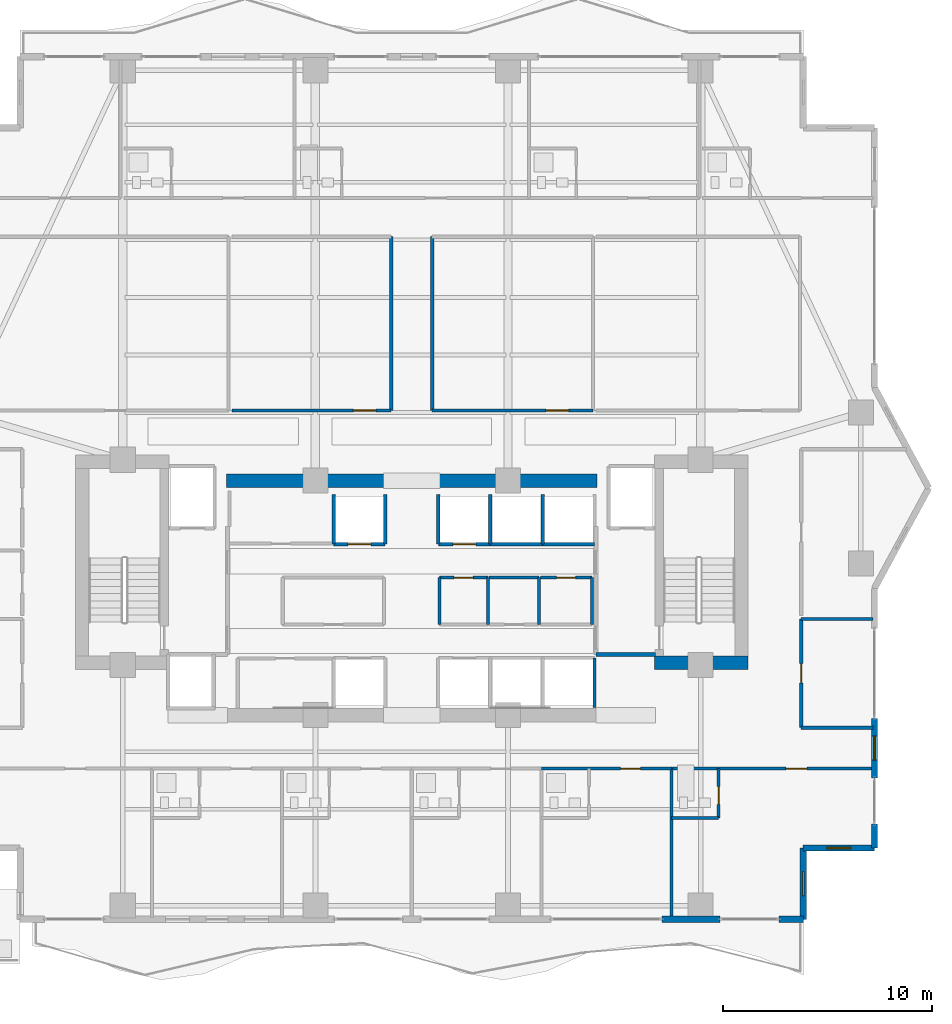
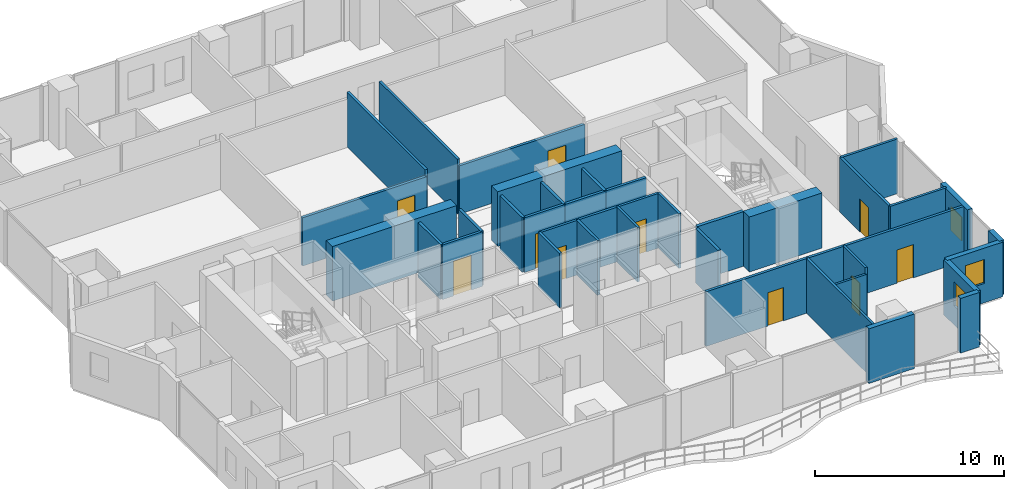
# One storey, part 26 of 32: 39 walls, 10 doors, 3 windows, 13 openings.
"""IFC4 building model written with IfcOpenShell, lengths in metres."""

import ifcopenshell
import ifcopenshell.guid

model = None  # the IFC model being written
_history = None  # IfcOwnerHistory: only IFC2X3 demands one
_inside = {}  # id of a spatial element -> (the spatial element, [elements in it])
_under = {}  # id of a project, library or spatial element -> (it, [spatial elements below it])
_declared = {}  # id of a project -> (the project, [libraries it declares])
_typed = {}  # id of a type object -> (the type object, [elements of that type])
_made_of = {}  # id of a material, layer set ... -> (it, [elements and type objects made of it])


def new_model(schema):
    """Start an empty IFC model of exactly this schema.

    Asked for "IFC4X3", IfcOpenShell would pick the latest addendum, in which some entities
    have other attributes; the version numbers below select the first issue.
    IFC2X3 requires an IfcOwnerHistory on every rooted entity: one is made here for all.
    """
    global model, _history
    if schema == "IFC4X3":
        model = ifcopenshell.file(schema_version=(4, 3, 0, 0))
    else:
        model = ifcopenshell.file(schema=schema)
    _inside.clear()
    _under.clear()
    _declared.clear()
    _typed.clear()
    _made_of.clear()
    _history = None
    if model.schema == "IFC2X3":
        org = make("IfcOrganization", Name="unknown")
        user = make(
            "IfcPersonAndOrganization",
            ThePerson=make("IfcPerson", FamilyName="unknown"),
            TheOrganization=org,
        )
        app = make(
            "IfcApplication",
            ApplicationDeveloper=org,
            Version="unknown",
            ApplicationFullName="unknown",
            ApplicationIdentifier="unknown",
        )
        _history = make(
            "IfcOwnerHistory",
            OwningUser=user,
            OwningApplication=app,
            ChangeAction="ADDED",
            CreationDate=0,
        )
    return model


def make(cls, **values):
    """One entity of the class cls with the attributes given. An attribute that is None is left unset."""
    return model.create_entity(
        cls, **{name: value for name, value in values.items() if value is not None}
    )


def rooted(cls, **values):
    """An entity with a GlobalId (a new one), such as an element, a storey or a relation."""
    return make(cls, GlobalId=ifcopenshell.guid.new(), OwnerHistory=_history, **values)


def si_unit(unit_type, name, prefix=None):
    """IfcSIUnit, for example si_unit("LENGTHUNIT", "METRE", prefix="MILLI")."""
    return make("IfcSIUnit", UnitType=unit_type, Prefix=prefix, Name=name)


def assignment(units):
    """IfcUnitAssignment: the units of a project."""
    return None if units is None else make("IfcUnitAssignment", Units=units)


def point(xyz):
    """IfcCartesianPoint."""
    return None if xyz is None else make("IfcCartesianPoint", Coordinates=xyz)


def direction(xyz):
    """IfcDirection."""
    return None if xyz is None else make("IfcDirection", DirectionRatios=xyz)


def frame(location, z_axis=None, x_axis=None):
    """IfcAxis2Placement3D, a coordinate frame: its origin and axes. An axis left out is left unset."""
    return make(
        "IfcAxis2Placement3D",
        Location=point(location),
        Axis=direction(z_axis),
        RefDirection=direction(x_axis),
    )


def frame_2d(location, x_axis=None):
    """IfcAxis2Placement2D, a coordinate frame in the plane: its origin and x axis."""
    return make(
        "IfcAxis2Placement2D", Location=point(location), RefDirection=direction(x_axis)
    )


def origin():
    """The frame at (0, 0, 0) with its axes left unset."""
    return frame((0.0, 0.0, 0.0))


def place(relative_to, where):
    """IfcLocalPlacement: puts the frame where relative to a parent placement (None: the world)."""
    return make(
        "IfcLocalPlacement", PlacementRelTo=relative_to, RelativePlacement=where
    )


def context(
    kind, dimensions, precision=None, world=None, true_north=None, identifier=None
):
    """IfcGeometricRepresentationContext, for example the 3D "Model" context."""
    return make(
        "IfcGeometricRepresentationContext",
        ContextIdentifier=identifier,
        ContextType=kind,
        CoordinateSpaceDimension=dimensions,
        Precision=precision,
        WorldCoordinateSystem=world,
        TrueNorth=true_north,
    )


def subcontext(parent, identifier, kind, view, scale=None):
    """IfcGeometricRepresentationSubContext, for example "Body" below "Model"."""
    return make(
        "IfcGeometricRepresentationSubContext",
        ContextIdentifier=identifier,
        ContextType=kind,
        ParentContext=parent,
        TargetScale=scale,
        TargetView=view,
    )


def project(units=None, contexts=None):
    """IfcProject with its units and contexts."""
    return rooted(
        "IfcProject",
        Name="project",
        RepresentationContexts=contexts,
        UnitsInContext=assignment(units),
    )


def spatial(cls, under=None, at=None, **own):
    """A site, building, storey or space (cls), placed at a placement, below another one or the project."""
    s = rooted(cls, ObjectPlacement=at, **own)
    if under is not None:
        _under.setdefault(under.id(), (under, []))[1].append(s)
    return s


def profile(cls, at=None, kind="AREA", **sizes):
    """A parametric profile (cls). Its sizes go by their IFC names, for example OverallWidth=200.0."""
    return make(cls, ProfileType=kind, Position=at, **sizes)


def rectangle(**sizes):
    """IfcRectangleProfileDef."""
    return profile("IfcRectangleProfileDef", **sizes)


def extrude(swept, where, along, depth):
    """IfcExtrudedAreaSolid: the profile swept, set in the frame where, extruded along a direction by depth."""
    return make(
        "IfcExtrudedAreaSolid",
        SweptArea=swept,
        Position=where,
        ExtrudedDirection=direction(along),
        Depth=depth,
    )


def shape(context_of_items, identifier, shape_type, items):
    """IfcShapeRepresentation: the items that make up one representation, for example the "Body"."""
    return make(
        "IfcShapeRepresentation",
        ContextOfItems=context_of_items,
        RepresentationIdentifier=identifier,
        RepresentationType=shape_type,
        Items=items,
    )


def material(Name=None, Category=None):
    """IfcMaterial."""
    return make("IfcMaterial", Name=Name, Category=Category)


def layer(
    of_material, thickness, ventilated=None, Name=None, Category=None, Priority=None
):
    """IfcMaterialLayer: one layer of a wall or slab, of a material (None: an air gap)."""
    return make(
        "IfcMaterialLayer",
        Material=of_material,
        LayerThickness=thickness,
        IsVentilated=ventilated,
        Name=Name,
        Category=Category,
        Priority=Priority,
    )


def layer_set(layers, Name=None):
    """IfcMaterialLayerSet."""
    return make("IfcMaterialLayerSet", MaterialLayers=layers, LayerSetName=Name)


def made_of(thing, what):
    """Note that an element or type object is made of a material, layer set ...; save() writes the relation."""
    if what is not None:
        _made_of.setdefault(what.id(), (what, []))[1].append(thing)
    return thing


def type_object(cls, material=None, **own):
    """A type object (cls), such as IfcWallType, which elements share."""
    return made_of(rooted(cls, **own), material)


def element(
    cls,
    number,
    at=None,
    inside=None,
    cuts=None,
    type_object=None,
    material=None,
    context=None,
    identifier="Body",
    shape_type=None,
    held_by="IfcProductDefinitionShape",
    body=None,
    shapes=None,
    **own,
):
    """One element of the class cls, such as IfcWall. Its Tag is "e" and its number.

    at: its placement. inside: the storey or other place that contains it. cuts: it is an
    opening in that element (IfcRelVoidsElement). A single representation is given by context,
    identifier, shape_type and body (its items); several are given by shapes. held_by: the class
    of the entity that holds the representations. save() writes the other relations.
    """
    e = rooted(cls, Tag="e%d" % number, ObjectPlacement=at, **own)
    if body is not None:
        shapes = [shape(context, identifier, shape_type, body)]
    if shapes is not None:
        e.Representation = make(held_by, Representations=shapes)
    if inside is not None:
        _inside.setdefault(inside.id(), (inside, []))[1].append(e)
    if cuts is not None:
        rooted(
            "IfcRelVoidsElement", RelatingBuildingElement=cuts, RelatedOpeningElement=e
        )
    if type_object is not None:
        _typed.setdefault(type_object.id(), (type_object, []))[1].append(e)
    return made_of(e, material)


def fill(opening, filler):
    """IfcRelFillsElement: the door or window that sits in an opening."""
    return rooted(
        "IfcRelFillsElement",
        RelatingOpeningElement=opening,
        RelatedBuildingElement=filler,
    )


def aggregate(whole, parts):
    """IfcRelAggregates: a whole, such as a stair, and the parts it consists of."""
    return rooted("IfcRelAggregates", RelatingObject=whole, RelatedObjects=parts)


def save(model, path):
    """Write the relations noted so far, then the file.

    IfcRelAggregates (storeys below a building ...), IfcRelContainedInSpatialStructure (elements
    in a storey), IfcRelDefinesByType, IfcRelAssociatesMaterial and IfcRelDeclares: one each for
    every whole, place, type object, material and project.
    """
    for whole, parts in _under.values():
        aggregate(whole, parts)
    for where, things in _inside.values():
        rooted(
            "IfcRelContainedInSpatialStructure",
            RelatedElements=things,
            RelatingStructure=where,
        )
    for kind, things in _typed.values():
        rooted("IfcRelDefinesByType", RelatedObjects=things, RelatingType=kind)
    for what, things in _made_of.values():
        rooted("IfcRelAssociatesMaterial", RelatedObjects=things, RelatingMaterial=what)
    for by, libraries in _declared.values():
        rooted("IfcRelDeclares", RelatingContext=by, RelatedDefinitions=libraries)
    model.write(path)


model = new_model("IFC4")

# Units and contexts
model_context = context("Model", 3, precision=1e-05, world=origin(), true_north=direction((0.0, 1.0)))
body_context = subcontext(model_context, "Body", "Model", "MODEL_VIEW")
ifc_project = project(units=[si_unit("LENGTHUNIT", "METRE"), si_unit("AREAUNIT", "SQUARE_METRE"), si_unit("VOLUMEUNIT", "CUBIC_METRE"), si_unit("PLANEANGLEUNIT", "RADIAN"), si_unit("MASSUNIT", "GRAM", prefix="KILO")], contexts=[model_context])

# Site, building, storey
site_placement = place(None, origin())
site = spatial("IfcSite", under=ifc_project, at=site_placement, CompositionType="ELEMENT")
building_placement = place(site_placement, origin())
building = spatial("IfcBuilding", under=site, at=building_placement, Name="Zuhayl Quay Hotel", CompositionType="ELEMENT")
storey_placement = place(building_placement, frame((0.0, 0.0, 192.39990234375)))
storey = spatial("IfcBuildingStorey", under=building, at=storey_placement, Name="L48", CompositionType="ELEMENT", Elevation=192.39990234375)

# Walls
ifc_material_1 = material(Name="Concrete C50/60", Category="concrete")
ifc_layer_1 = layer(ifc_material_1, 0.64990234375, Name="Concrete C50/60", Category="concrete")
ifc_layer_set_1 = layer_set([ifc_layer_1], Name="Concrete C50/60")
wall_type_1 = type_object("IfcWallType", Name="WL_CORE_650", PredefinedType="SHEAR", material=ifc_layer_set_1)
wall_1_placement = place(storey_placement, frame((11.60009765625, 4.64501953125, 0.0), z_axis=(0.0, 0.0, 1.0), x_axis=(1.0, 0.0, 0.0)))
element("IfcWall", 1, at=wall_1_placement, inside=storey, type_object=wall_type_1, Name="L48 Core Shear Wall CW_SE", PredefinedType="SHEAR", context=body_context, shape_type="SweptSolid", body=[
    extrude(rectangle(XDim=4.4599609375, YDim=0.64990234375, at=frame_2d((2.22998046875, 0.0))), origin(), (0.0, 0.0, 1.0), 3.56005859375),
])
for number, where, z_axis, x_axis, name in (
    (2, (-8.85009765625, 13.35009765625, 0.0), (0.0, 0.0, 1.0), (1.0, 0.0, 0.0), "L48 Core Shear Wall CW_NC_W"),
    (3, (1.25, 13.35009765625, 0.0), (0.0, 0.0, 1.0), (1.0, 0.0, 0.0), "L48 Core Shear Wall CW_NC_E"),
):
    element("IfcWall", number, at=place(storey_placement, frame(where, z_axis=z_axis, x_axis=x_axis)), inside=storey, type_object=wall_type_1, Name=name, PredefinedType="SHEAR", context=body_context, shape_type="SweptSolid", body=[
        extrude(rectangle(XDim=7.60009765625, YDim=0.64990234375, at=frame_2d((3.800048828125, 0.0))), origin(), (0.0, 0.0, 1.0), 3.530029296875),
    ])

# Wall, opening, window
ifc_material_2 = material(Name="Precast concrete C45/55", Category="concrete")
ifc_layer_2 = layer(ifc_material_2, 0.300048828125, Name="Precast concrete C45/55", Category="concrete")
ifc_layer_set_2 = layer_set([ifc_layer_2], Name="Precast concrete C45/55")
wall_type_2 = type_object("IfcWallType", Name="WL_EXT_300", PredefinedType="STANDARD", material=ifc_layer_set_2)
wall_2_placement = place(storey_placement, frame((22.10009765625, 2.0, 0.0), z_axis=(0.0, 0.0, 1.0), x_axis=(0.0, -1.0, 0.0)))
wall_2 = element("IfcWall", 4, at=wall_2_placement, inside=storey, type_object=wall_type_2, Name="L48 Exterior Precast Wall ENV_L48_E14_EW2", PredefinedType="STANDARD", context=body_context, shape_type="SweptSolid", body=[
    extrude(rectangle(XDim=2.85009765625, YDim=0.300048828125, at=frame_2d((1.425048828125, 0.0))), origin(), (0.0, 0.0, 1.0), 3.530029296875),
])
opening_1_placement = place(wall_2_placement, frame((0.85009765625, 0.0, 0.949951171875)))
opening_1 = element("IfcOpeningElement", 5, at=opening_1_placement, cuts=wall_2, Name="Opening W01N", PredefinedType="OPENING", context=body_context, shape_type="SweptSolid", body=[
    extrude(rectangle(XDim=1.14990234375, YDim=1.550048828125, at=frame_2d((0.574951171875, 0.77490234375))), frame((0.0, 0.159912109375, 0.0), z_axis=(0.0, -1.0, 0.0), x_axis=(1.0, 0.0, 0.0)), (0.0, 0.0, 1.0), 0.320068359375),
])
ifc_material_3 = material(Name="Dark Ceramic-Fritted Solar Glass", Category="glass")
window_type = type_object("IfcWindowType", Name="WN_NOTCH_1350", PartitioningType="SINGLE_PANEL", PredefinedType="WINDOW", material=ifc_material_3)
window_1_placement = place(opening_1_placement, origin())
window_1 = element("IfcWindow", 6, at=window_1_placement, inside=storey, type_object=window_type, Name="L48 Operable Facade Window 2-1", OverallHeight=1.550048828125, OverallWidth=1.14990234375, PartitioningType="SINGLE_PANEL", PredefinedType="WINDOW", context=body_context, shape_type="SweptSolid", body=[
    extrude(rectangle(XDim=1.14990234375, YDim=1.550048828125, at=frame_2d((0.574951171875, 0.77490234375))), frame((0.0, 0.030029296875, 0.0), z_axis=(0.0, -1.0, 0.0), x_axis=(1.0, 0.0, 0.0)), (0.0, 0.0, 1.0), 0.06005859375),
])
fill(opening_1, window_1)

# Wall
wall_3_placement = place(storey_placement, frame((22.10009765625, -3.050048828125, 0.0), z_axis=(0.0, 0.0, 1.0), x_axis=(0.0, -1.0, 0.0)))
element("IfcWall", 7, at=wall_3_placement, inside=storey, type_object=wall_type_2, Name="L48 Exterior Precast Wall ENV_L48_E14_EW3", PredefinedType="STANDARD", context=body_context, shape_type="SweptSolid", body=[
    extrude(rectangle(XDim=1.14990234375, YDim=0.300048828125, at=frame_2d((0.574951171875, 0.0))), origin(), (0.0, 0.0, 1.0), 3.530029296875),
])

# Wall, opening, window
wall_4_placement = place(storey_placement, frame((22.10009765625, -4.199951171875, 0.0), z_axis=(0.0, 0.0, 1.0), x_axis=(-1.0, 0.0, 0.0)))
wall_4 = element("IfcWall", 8, at=wall_4_placement, inside=storey, type_object=wall_type_2, Name="L48 Exterior Precast Wall ENV_L48_EW15", PredefinedType="STANDARD", context=body_context, shape_type="SweptSolid", body=[
    extrude(rectangle(XDim=3.400146484375, YDim=0.300048828125, at=frame_2d((1.7001953125, 0.0))), origin(), (0.0, 0.0, 1.0), 3.530029296875),
])
opening_2_placement = place(wall_4_placement, frame((1.125, 0.0, 1.25)))
opening_2 = element("IfcOpeningElement", 9, at=opening_2_placement, cuts=wall_4, Name="Opening W01N", PredefinedType="OPENING", context=body_context, shape_type="SweptSolid", body=[
    extrude(rectangle(XDim=1.14990234375, YDim=1.550048828125, at=frame_2d((0.574951171875, 0.77490234375))), frame((0.0, 0.159912109375, 0.0), z_axis=(0.0, -1.0, 0.0), x_axis=(1.0, 0.0, 0.0)), (0.0, 0.0, 1.0), 0.320068359375),
])
window_2_placement = place(opening_2_placement, origin())
window_2 = element("IfcWindow", 10, at=window_2_placement, inside=storey, type_object=window_type, Name="L48 Corner Notch Window 15", OverallHeight=1.550048828125, OverallWidth=1.14990234375, PartitioningType="SINGLE_PANEL", PredefinedType="WINDOW", context=body_context, shape_type="SweptSolid", body=[
    extrude(rectangle(XDim=1.14990234375, YDim=1.550048828125, at=frame_2d((0.574951171875, 0.77490234375))), frame((0.0, 0.030029296875, 0.0), z_axis=(0.0, -1.0, 0.0), x_axis=(1.0, 0.0, 0.0)), (0.0, 0.0, 1.0), 0.06005859375),
])
fill(opening_2, window_2)

wall_5_placement = place(storey_placement, frame((18.699951171875, -4.199951171875, 0.0), z_axis=(0.0, 0.0, 1.0), x_axis=(0.0, -1.0, 0.0)))
wall_5 = element("IfcWall", 11, at=wall_5_placement, inside=storey, type_object=wall_type_2, Name="L48 Exterior Precast Wall ENV_L48_EW16", PredefinedType="STANDARD", context=body_context, shape_type="SweptSolid", body=[
    extrude(rectangle(XDim=3.400146484375, YDim=0.300048828125, at=frame_2d((1.7001953125, 0.0))), origin(), (0.0, 0.0, 1.0), 3.530029296875),
])
opening_3_placement = place(wall_5_placement, frame((1.125, 0.0, 1.25)))
opening_3 = element("IfcOpeningElement", 12, at=opening_3_placement, cuts=wall_5, Name="Opening W01N", PredefinedType="OPENING", context=body_context, shape_type="SweptSolid", body=[
    extrude(rectangle(XDim=1.14990234375, YDim=1.550048828125, at=frame_2d((0.574951171875, 0.77490234375))), frame((0.0, 0.159912109375, 0.0), z_axis=(0.0, -1.0, 0.0), x_axis=(1.0, 0.0, 0.0)), (0.0, 0.0, 1.0), 0.320068359375),
])
window_3_placement = place(opening_3_placement, origin())
window_3 = element("IfcWindow", 13, at=window_3_placement, inside=storey, type_object=window_type, Name="L48 Corner Notch Window 16", OverallHeight=1.550048828125, OverallWidth=1.14990234375, PartitioningType="SINGLE_PANEL", PredefinedType="WINDOW", context=body_context, shape_type="SweptSolid", body=[
    extrude(rectangle(XDim=1.14990234375, YDim=1.550048828125, at=frame_2d((0.574951171875, 0.77490234375))), frame((0.0, 0.030029296875, 0.0), z_axis=(0.0, -1.0, 0.0), x_axis=(1.0, 0.0, 0.0)), (0.0, 0.0, 1.0), 0.06005859375),
])
fill(opening_3, window_3)

# Walls
wall_6_placement = place(storey_placement, frame((18.699951171875, -7.60009765625, 0.0), z_axis=(0.0, 0.0, 1.0), x_axis=(-1.0, 0.0, 0.0)))
element("IfcWall", 14, at=wall_6_placement, inside=storey, type_object=wall_type_2, Name="L48 Exterior Precast Wall ENV_L48_S_EW1", PredefinedType="STANDARD", context=body_context, shape_type="SweptSolid", body=[
    extrude(rectangle(XDim=1.14990234375, YDim=0.300048828125, at=frame_2d((0.574951171875, 0.0))), origin(), (0.0, 0.0, 1.0), 3.530029296875),
])
wall_7_placement = place(storey_placement, frame((14.719970703125, -7.60009765625, 0.0), z_axis=(0.0, 0.0, 1.0), x_axis=(-1.0, 0.0, 0.0)))
element("IfcWall", 15, at=wall_7_placement, inside=storey, type_object=wall_type_2, Name="L48 Exterior Precast Wall ENV_L48_S_EW2", PredefinedType="STANDARD", context=body_context, shape_type="SweptSolid", body=[
    extrude(rectangle(XDim=2.77001953125, YDim=0.300048828125, at=frame_2d((1.385009765625, 0.0))), origin(), (0.0, 0.0, 1.0), 3.530029296875),
])

# Wall, opening, door
ifc_material_4 = material(Name="Acoustic Gypsum Partition STC-58")
ifc_layer_3 = layer(ifc_material_4, 0.14990234375, Name="Acoustic Gypsum Partition STC-58")
ifc_layer_set_3 = layer_set([ifc_layer_3], Name="Acoustic Gypsum Partition STC-58")
wall_type_3 = type_object("IfcWallType", Name="WL_PART_150", PredefinedType="PARTITIONING", material=ifc_layer_set_3)
wall_8_placement = place(storey_placement, frame((1.320068359375, 8.719970703125, 0.0), z_axis=(0.0, 0.0, 1.0), x_axis=(1.0, 0.0, 0.0)))
wall_8 = element("IfcWall", 16, at=wall_8_placement, inside=storey, type_object=wall_type_3, Name="L48 Partition IW_L48_CORE_E1_N", PredefinedType="PARTITIONING", context=body_context, shape_type="SweptSolid", body=[
    extrude(rectangle(XDim=2.31982421875, YDim=0.14990234375, at=frame_2d((1.159912109375, 0.0))), origin(), (0.0, 0.0, 1.0), 3.530029296875),
])
opening_4_placement = place(wall_8_placement, frame((0.7099609375, 0.0, 0.0)))
opening_4 = element("IfcOpeningElement", 17, at=opening_4_placement, cuts=wall_8, Name="Opening D06", PredefinedType="OPENING", context=body_context, shape_type="SweptSolid", body=[
    extrude(rectangle(XDim=0.89990234375, YDim=2.14990234375, at=frame_2d((0.449951171875, 1.074951171875))), frame((0.0, 0.0849609375, 0.0), z_axis=(0.0, -1.0, 0.0), x_axis=(1.0, 0.0, 0.0)), (0.0, 0.0, 1.0), 0.169921875),
])
ifc_material_5 = material(Name="Steel ASTM A992 Grade 50", Category="steel")
door_type_1 = type_object("IfcDoorType", Name="DR_INT_900", OperationType="NOTDEFINED", PredefinedType="DOOR", material=ifc_material_5)
door_1_placement = place(opening_4_placement, origin())
door_1 = element("IfcDoor", 18, at=door_1_placement, inside=storey, type_object=door_type_1, Name="L48 Floor Electrical Closet Door", OperationType="SINGLE_SWING_RIGHT", OverallHeight=2.14990234375, OverallWidth=0.89990234375, PredefinedType="DOOR", context=body_context, shape_type="SweptSolid", body=[
    extrude(rectangle(XDim=0.89990234375, YDim=2.14990234375, at=frame_2d((0.449951171875, 1.074951171875))), frame((0.0, 0.02490234375, 0.0), z_axis=(0.0, -1.0, 0.0), x_axis=(1.0, 0.0, 0.0)), (0.0, 0.0, 1.0), 0.050048828125),
])
fill(opening_4, door_1)

wall_9_placement = place(storey_placement, frame((6.139892578125, 8.719970703125, 0.0), z_axis=(0.0, 0.0, 1.0), x_axis=(1.0, 0.0, 0.0)))
wall_9 = element("IfcWall", 19, at=wall_9_placement, inside=storey, type_object=wall_type_3, Name="L48 Partition IW_L48_CORE_E3_N", PredefinedType="PARTITIONING", context=body_context, shape_type="SweptSolid", body=[
    extrude(rectangle(XDim=2.47021484375, YDim=0.14990234375, at=frame_2d((1.235107421875, 0.0))), origin(), (0.0, 0.0, 1.0), 3.530029296875),
])
opening_5_placement = place(wall_9_placement, frame((0.784912109375, 0.0, 0.0)))
opening_5 = element("IfcOpeningElement", 20, at=opening_5_placement, cuts=wall_9, Name="Opening D06", PredefinedType="OPENING", context=body_context, shape_type="SweptSolid", body=[
    extrude(rectangle(XDim=0.89990234375, YDim=2.14990234375, at=frame_2d((0.449951171875, 1.074951171875))), frame((0.0, 0.0849609375, 0.0), z_axis=(0.0, -1.0, 0.0), x_axis=(1.0, 0.0, 0.0)), (0.0, 0.0, 1.0), 0.169921875),
])
door_2_placement = place(opening_5_placement, origin())
door_2 = element("IfcDoor", 21, at=door_2_placement, inside=storey, type_object=door_type_1, Name="L48 Janitor and Cleaners Store Door", OperationType="SINGLE_SWING_RIGHT", OverallHeight=2.14990234375, OverallWidth=0.89990234375, PredefinedType="DOOR", context=body_context, shape_type="SweptSolid", body=[
    extrude(rectangle(XDim=0.89990234375, YDim=2.14990234375, at=frame_2d((0.449951171875, 1.074951171875))), frame((0.0, 0.02490234375, 0.0), z_axis=(0.0, -1.0, 0.0), x_axis=(1.0, 0.0, 0.0)), (0.0, 0.0, 1.0), 0.050048828125),
])
fill(opening_5, door_2)

# Walls
for number, where, z_axis, x_axis, name in (
    (22, (1.320068359375, 6.47998046875, 0.0), (0.0, 0.0, 1.0), (0.0, 1.0, 0.0), "L48 Partition IW_L48_CORE_E1_W"),
    (23, (3.639892578125, 6.47998046875, 0.0), (0.0, 0.0, 1.0), (0.0, 1.0, 0.0), "L48 Partition IW_L48_CORE_E1_E"),
):
    element("IfcWall", number, at=place(storey_placement, frame(where, z_axis=z_axis, x_axis=x_axis)), inside=storey, type_object=wall_type_3, Name=name, PredefinedType="PARTITIONING", context=body_context, shape_type="SweptSolid", body=[
        extrude(rectangle(XDim=2.239990234375, YDim=0.14990234375, at=frame_2d((1.1201171875, 0.0))), origin(), (0.0, 0.0, 1.0), 3.530029296875),
    ])
wall_10_placement = place(storey_placement, frame((3.699951171875, 8.719970703125, 0.0), z_axis=(0.0, 0.0, 1.0), x_axis=(1.0, 0.0, 0.0)))
element("IfcWall", 24, at=wall_10_placement, inside=storey, type_object=wall_type_3, Name="L48 Partition IW_L48_CORE_E2_N", PredefinedType="PARTITIONING", context=body_context, shape_type="SweptSolid", body=[
    extrude(rectangle(XDim=2.380126953125, YDim=0.14990234375, at=frame_2d((1.18994140625, 0.0))), origin(), (0.0, 0.0, 1.0), 3.530029296875),
])
for number, where, z_axis, x_axis, name in (
    (25, (6.080078125, 6.47998046875, 0.0), (0.0, 0.0, 1.0), (0.0, 1.0, 0.0), "L48 Partition IW_L48_CORE_E2_E"),
    (26, (8.610107421875, 6.47998046875, 0.0), (0.0, 0.0, 1.0), (0.0, 1.0, 0.0), "L48 Partition IW_L48_CORE_E3_E"),
):
    element("IfcWall", number, at=place(storey_placement, frame(where, z_axis=z_axis, x_axis=x_axis)), inside=storey, type_object=wall_type_3, Name=name, PredefinedType="PARTITIONING", context=body_context, shape_type="SweptSolid", body=[
        extrude(rectangle(XDim=2.239990234375, YDim=0.14990234375, at=frame_2d((1.1201171875, 0.0))), origin(), (0.0, 0.0, 1.0), 3.530029296875),
    ])
for number, where, z_axis, x_axis, name in (
    (27, (-0.97998046875, 16.699951171875, 0.0), (0.0, 0.0, 1.0), (0.0, 1.0, 0.0), "L48 Partition IW_L48_Z3_SAL_M2_E"),
    (28, (0.97998046875, 16.699951171875, 0.0), (0.0, 0.0, 1.0), (0.0, 1.0, 0.0), "L48 Partition IW_L48_Z3_SAL_E1_W"),
):
    element("IfcWall", number, at=place(storey_placement, frame(where, z_axis=z_axis, x_axis=x_axis)), inside=storey, type_object=wall_type_3, Name=name, PredefinedType="PARTITIONING", context=body_context, shape_type="SweptSolid", body=[
        extrude(rectangle(XDim=8.300048828125, YDim=0.14990234375, at=frame_2d((4.14990234375, 0.0))), origin(), (0.0, 0.0, 1.0), 3.530029296875),
    ])
wall_11_placement = place(storey_placement, frame((12.39990234375, -7.52001953125, 0.0), z_axis=(0.0, 0.0, 1.0), x_axis=(0.0, 1.0, 0.0)))
element("IfcWall", 29, at=wall_11_placement, inside=storey, type_object=wall_type_3, Name="L48 Partition IW_L48_SU05_E", PredefinedType="PARTITIONING", context=body_context, shape_type="SweptSolid", body=[
    extrude(rectangle(XDim=7.1201171875, YDim=0.14990234375, at=frame_2d((3.56005859375, 0.0))), origin(), (0.0, 0.0, 1.0), 3.530029296875),
])
for number, where, z_axis, x_axis, name in (
    (30, (18.60009765625, 1.550048828125, 0.0), (0.0, 0.0, 1.0), (1.0, 0.0, 0.0), "L48 Partition IW_L48_HK_MAIN_S"),
    (31, (18.60009765625, 6.75, 0.0), (0.0, 0.0, 1.0), (1.0, 0.0, 0.0), "L48 Partition IW_L48_HK_MAIN_N"),
):
    element("IfcWall", number, at=place(storey_placement, frame(where, z_axis=z_axis, x_axis=x_axis)), inside=storey, type_object=wall_type_3, Name=name, PredefinedType="PARTITIONING", context=body_context, shape_type="SweptSolid", body=[
        extrude(rectangle(XDim=3.43994140625, YDim=0.14990234375, at=frame_2d((1.719970703125, 0.0))), origin(), (0.0, 0.0, 1.0), 3.530029296875),
    ])

# Wall, opening, door
ifc_layer_4 = layer(ifc_material_4, 0.159912109375, Name="Acoustic Gypsum Partition STC-58")
ifc_layer_set_4 = layer_set([ifc_layer_4], Name="Acoustic Gypsum Partition STC-58")
wall_type_4 = type_object("IfcWallType", Name="WL_PART_CORR_160", PredefinedType="PARTITIONING", material=ifc_layer_set_4)
wall_12_placement = place(storey_placement, frame((-8.590087890625, 16.699951171875, 0.0), z_axis=(0.0, 0.0, 1.0), x_axis=(1.0, 0.0, 0.0)))
wall_12 = element("IfcWall", 32, at=wall_12_placement, inside=storey, type_object=wall_type_4, Name="L48 Partition IW_L48_Z3_SAL_M2_S", PredefinedType="PARTITIONING", context=body_context, shape_type="SweptSolid", body=[
    extrude(rectangle(XDim=7.610107421875, YDim=0.159912109375, at=frame_2d((3.80517578125, 0.0))), origin(), (0.0, 0.0, 1.0), 3.1240234375),
])
opening_6_placement = place(wall_12_placement, frame((5.800048828125, 0.0, 0.0)))
opening_6 = element("IfcOpeningElement", 33, at=opening_6_placement, cuts=wall_12, Name="Opening D05A", PredefinedType="OPENING", context=body_context, shape_type="SweptSolid", body=[
    extrude(rectangle(XDim=1.080078125, YDim=2.179931640625, at=frame_2d((0.5400390625, 1.08984375))), frame((0.0, 0.08984375, 0.0), z_axis=(0.0, -1.0, 0.0), x_axis=(1.0, 0.0, 0.0)), (0.0, 0.0, 1.0), 0.179931640625),
])
ifc_material_6 = material(Name="Solid Walnut Acoustic Fire Door")
door_type_2 = type_object("IfcDoorType", Name="DR_INT_1100", OperationType="NOTDEFINED", PredefinedType="DOOR", material=ifc_material_6)
door_3_placement = place(opening_6_placement, origin())
door_3 = element("IfcDoor", 34, at=door_3_placement, inside=storey, type_object=door_type_2, Name="L48 Vitality Relaxation Salon Door", OperationType="SINGLE_SWING_LEFT", OverallHeight=2.179931640625, OverallWidth=1.080078125, PredefinedType="DOOR", context=body_context, shape_type="SweptSolid", body=[
    extrude(rectangle(XDim=1.080078125, YDim=2.179931640625, at=frame_2d((0.5400390625, 1.08984375))), frame((0.0, 0.02490234375, 0.0), z_axis=(0.0, -1.0, 0.0), x_axis=(1.0, 0.0, 0.0)), (0.0, 0.0, 1.0), 0.050048828125),
])
fill(opening_6, door_3)

wall_13_placement = place(storey_placement, frame((0.97998046875, 16.699951171875, 0.0), z_axis=(0.0, 0.0, 1.0), x_axis=(1.0, 0.0, 0.0)))
wall_13 = element("IfcWall", 35, at=wall_13_placement, inside=storey, type_object=wall_type_4, Name="L48 Partition IW_L48_Z3_SAL_E1_S", PredefinedType="PARTITIONING", context=body_context, shape_type="SweptSolid", body=[
    extrude(rectangle(XDim=7.669921875, YDim=0.159912109375, at=frame_2d((3.8349609375, 0.0))), origin(), (0.0, 0.0, 1.0), 3.1240234375),
])
opening_7_placement = place(wall_13_placement, frame((5.429931640625, 0.0, 0.0)))
opening_7 = element("IfcOpeningElement", 36, at=opening_7_placement, cuts=wall_13, Name="Opening D05A", PredefinedType="OPENING", context=body_context, shape_type="SweptSolid", body=[
    extrude(rectangle(XDim=1.080078125, YDim=2.179931640625, at=frame_2d((0.5400390625, 1.08984375))), frame((0.0, 0.08984375, 0.0), z_axis=(0.0, -1.0, 0.0), x_axis=(1.0, 0.0, 0.0)), (0.0, 0.0, 1.0), 0.179931640625),
])
door_4_placement = place(opening_7_placement, origin())
door_4 = element("IfcDoor", 37, at=door_4_placement, inside=storey, type_object=door_type_2, Name="L48 Relaxation Tea Lounge Door", OperationType="SINGLE_SWING_RIGHT", OverallHeight=2.179931640625, OverallWidth=1.080078125, PredefinedType="DOOR", context=body_context, shape_type="SweptSolid", body=[
    extrude(rectangle(XDim=1.080078125, YDim=2.179931640625, at=frame_2d((0.5400390625, 1.08984375))), frame((0.0, 0.02490234375, 0.0), z_axis=(0.0, -1.0, 0.0), x_axis=(1.0, 0.0, 0.0)), (0.0, 0.0, 1.0), 0.050048828125),
])
fill(opening_7, door_4)

wall_14_placement = place(storey_placement, frame((6.199951171875, -0.39990234375, 0.0), z_axis=(0.0, 0.0, 1.0), x_axis=(1.0, 0.0, 0.0)))
wall_14 = element("IfcWall", 38, at=wall_14_placement, inside=storey, type_object=wall_type_4, Name="L48 Partition IW_L48_SU05_COR", PredefinedType="PARTITIONING", context=body_context, shape_type="SweptSolid", body=[
    extrude(rectangle(XDim=6.199951171875, YDim=0.159912109375, at=frame_2d((3.10009765625, 0.0))), origin(), (0.0, 0.0, 1.0), 3.530029296875),
])
opening_8_placement = place(wall_14_placement, frame((3.77490234375, 0.0, 0.0)))
opening_8 = element("IfcOpeningElement", 39, at=opening_8_placement, cuts=wall_14, Name="Opening D03", PredefinedType="OPENING", context=body_context, shape_type="SweptSolid", body=[
    extrude(rectangle(XDim=0.949951171875, YDim=2.14990234375, at=frame_2d((0.47509765625, 1.074951171875))), frame((0.0, 0.08984375, 0.0), z_axis=(0.0, -1.0, 0.0), x_axis=(1.0, 0.0, 0.0)), (0.0, 0.0, 1.0), 0.179931640625),
])
door_type_3 = type_object("IfcDoorType", Name="DR_SUITE_950", OperationType="NOTDEFINED", PredefinedType="DOOR", material=ifc_material_6)
door_5_placement = place(opening_8_placement, origin())
door_5 = element("IfcDoor", 40, at=door_5_placement, inside=storey, type_object=door_type_3, Name="L48 Premier Twin Guest Room L48-05 Entrance Door", OperationType="SINGLE_SWING_LEFT", OverallHeight=2.14990234375, OverallWidth=0.949951171875, PredefinedType="DOOR", context=body_context, shape_type="SweptSolid", body=[
    extrude(rectangle(XDim=0.949951171875, YDim=2.14990234375, at=frame_2d((0.47509765625, 1.074951171875))), frame((0.0, 0.02490234375, 0.0), z_axis=(0.0, -1.0, 0.0), x_axis=(1.0, 0.0, 0.0)), (0.0, 0.0, 1.0), 0.050048828125),
])
fill(opening_8, door_5)

wall_15_placement = place(storey_placement, frame((12.39990234375, -0.39990234375, 0.0), z_axis=(0.0, 0.0, 1.0), x_axis=(1.0, 0.0, 0.0)))
wall_15 = element("IfcWall", 41, at=wall_15_placement, inside=storey, type_object=wall_type_4, Name="L48 Partition IW_L48_SU06_COR", PredefinedType="PARTITIONING", context=body_context, shape_type="SweptSolid", body=[
    extrude(rectangle(XDim=9.64013671875, YDim=0.159912109375, at=frame_2d((4.820068359375, 0.0))), origin(), (0.0, 0.0, 1.0), 3.530029296875),
])
opening_9_placement = place(wall_15_placement, frame((5.469970703125, 0.0, 0.0)))
opening_9 = element("IfcOpeningElement", 42, at=opening_9_placement, cuts=wall_15, Name="Opening D03L", PredefinedType="OPENING", context=body_context, shape_type="SweptSolid", body=[
    extrude(rectangle(XDim=1.0, YDim=2.14990234375, at=frame_2d((0.5, 1.074951171875))), frame((0.0, 0.08984375, 0.0), z_axis=(0.0, -1.0, 0.0), x_axis=(1.0, 0.0, 0.0)), (0.0, 0.0, 1.0), 0.179931640625),
])
door_type_4 = type_object("IfcDoorType", Name="DR_SUITE_1000", OperationType="NOTDEFINED", PredefinedType="DOOR", material=ifc_material_6)
door_6_placement = place(opening_9_placement, origin())
door_6 = element("IfcDoor", 43, at=door_6_placement, inside=storey, type_object=door_type_4, Name="L48 Premier Twin Guest Room L48-06 Entrance Door", OperationType="SINGLE_SWING_LEFT", OverallHeight=2.14990234375, OverallWidth=1.0, PredefinedType="DOOR", context=body_context, shape_type="SweptSolid", body=[
    extrude(rectangle(XDim=1.0, YDim=2.14990234375, at=frame_2d((0.5, 1.074951171875))), frame((0.0, 0.02490234375, 0.0), z_axis=(0.0, -1.0, 0.0), x_axis=(1.0, 0.0, 0.0)), (0.0, 0.0, 1.0), 0.050048828125),
])
fill(opening_9, door_6)

wall_16_placement = place(storey_placement, frame((18.60009765625, 1.550048828125, 0.0), z_axis=(0.0, 0.0, 1.0), x_axis=(0.0, 1.0, 0.0)))
wall_16 = element("IfcWall", 44, at=wall_16_placement, inside=storey, type_object=wall_type_4, Name="L48 Partition IW_L48_HK_MAIN_W", PredefinedType="PARTITIONING", context=body_context, shape_type="SweptSolid", body=[
    extrude(rectangle(XDim=5.199951171875, YDim=0.159912109375, at=frame_2d((2.60009765625, 0.0))), origin(), (0.0, 0.0, 1.0), 3.530029296875),
])
opening_10_placement = place(wall_16_placement, frame((2.139892578125, 0.0, 0.0)))
opening_10 = element("IfcOpeningElement", 45, at=opening_10_placement, cuts=wall_16, Name="Opening D05", PredefinedType="OPENING", context=body_context, shape_type="SweptSolid", body=[
    extrude(rectangle(XDim=0.919921875, YDim=2.1201171875, at=frame_2d((0.4599609375, 1.06005859375))), frame((0.0, 0.08984375, 0.0), z_axis=(0.0, -1.0, 0.0), x_axis=(1.0, 0.0, 0.0)), (0.0, 0.0, 1.0), 0.179931640625),
])
door_type_5 = type_object("IfcDoorType", Name="DR_INT_950", OperationType="NOTDEFINED", PredefinedType="DOOR", material=ifc_material_6)
door_7_placement = place(opening_10_placement, origin())
door_7 = element("IfcDoor", 46, at=door_7_placement, inside=storey, type_object=door_type_5, Name="L48 Housekeeping and Linen Room Door", OperationType="SINGLE_SWING_RIGHT", OverallHeight=2.1201171875, OverallWidth=0.919921875, PredefinedType="DOOR", context=body_context, shape_type="SweptSolid", body=[
    extrude(rectangle(XDim=0.919921875, YDim=2.1201171875, at=frame_2d((0.4599609375, 1.06005859375))), frame((0.0, 0.02490234375, 0.0), z_axis=(0.0, -1.0, 0.0), x_axis=(1.0, 0.0, 0.0)), (0.0, 0.0, 1.0), 0.050048828125),
])
fill(opening_10, door_7)

ifc_material_7 = material(Name="Moisture-Resistant Sanitarychase Gypsum")
ifc_layer_5 = layer(ifc_material_7, 0.135009765625, Name="Moisture-Resistant Sanitarychase Gypsum")
ifc_layer_set_5 = layer_set([ifc_layer_5], Name="Moisture-Resistant Sanitarychase Gypsum")
wall_type_5 = type_object("IfcWallType", Name="WL_PART_PLUMB_150", PredefinedType="PLUMBINGWALL", material=ifc_layer_set_5)
wall_17_placement = place(storey_placement, frame((14.659912109375, -2.760009765625, 0.0), z_axis=(0.0, 0.0, 1.0), x_axis=(0.0, 1.0, 0.0)))
wall_17 = element("IfcWall", 47, at=wall_17_placement, inside=storey, type_object=wall_type_5, Name="L48 Partition IW_L48_SU06_BE", PredefinedType="PLUMBINGWALL", context=body_context, shape_type="SweptSolid", body=[
    extrude(rectangle(XDim=2.360107421875, YDim=0.135009765625, at=frame_2d((1.18017578125, 0.0))), origin(), (0.0, 0.0, 1.0), 3.530029296875),
])
opening_11_placement = place(wall_17_placement, frame((0.64990234375, 0.0, 0.0)))
opening_11 = element("IfcOpeningElement", 48, at=opening_11_placement, cuts=wall_17, Name="Opening D04", PredefinedType="OPENING", context=body_context, shape_type="SweptSolid", body=[
    extrude(rectangle(XDim=0.85009765625, YDim=2.10009765625, at=frame_2d((0.425048828125, 1.050048828125))), frame((0.0, 0.077392578125, 0.0), z_axis=(0.0, -1.0, 0.0), x_axis=(1.0, 0.0, 0.0)), (0.0, 0.0, 1.0), 0.155029296875),
])
ifc_material_8 = material(Name="Moisture-Resistant Walnut Veneer")
door_type_6 = type_object("IfcDoorType", Name="DR_BATH_850", OperationType="NOTDEFINED", PredefinedType="DOOR", material=ifc_material_8)
door_8_placement = place(opening_11_placement, origin())
door_8 = element("IfcDoor", 49, at=door_8_placement, inside=storey, type_object=door_type_6, Name="L48 Premier Twin Guest Room L48-06 En-Suite Door", OperationType="SINGLE_SWING_RIGHT", OverallHeight=2.10009765625, OverallWidth=0.85009765625, PredefinedType="DOOR", context=body_context, shape_type="SweptSolid", body=[
    extrude(rectangle(XDim=0.85009765625, YDim=2.10009765625, at=frame_2d((0.425048828125, 1.050048828125))), frame((0.0, 0.02490234375, 0.0), z_axis=(0.0, -1.0, 0.0), x_axis=(1.0, 0.0, 0.0)), (0.0, 0.0, 1.0), 0.050048828125),
])
fill(opening_11, door_8)

# Wall
wall_18_placement = place(storey_placement, frame((12.39990234375, -2.760009765625, 0.0), z_axis=(0.0, 0.0, 1.0), x_axis=(1.0, 0.0, 0.0)))
element("IfcWall", 50, at=wall_18_placement, inside=storey, type_object=wall_type_5, Name="L48 Partition IW_L48_SU06_BS", PredefinedType="PLUMBINGWALL", context=body_context, shape_type="SweptSolid", body=[
    extrude(rectangle(XDim=2.260009765625, YDim=0.135009765625, at=frame_2d((1.1298828125, 0.0))), origin(), (0.0, 0.0, 1.0), 3.1240234375),
])

# Wall, opening, door
ifc_material_9 = material(Name="Gypsum Fireboard Assembly EI-90")
ifc_layer_6 = layer(ifc_material_9, 0.1650390625, Name="Gypsum Fireboard Assembly EI-90")
ifc_layer_set_6 = layer_set([ifc_layer_6], Name="Gypsum Fireboard Assembly EI-90")
wall_type_6 = type_object("IfcWallType", Name="WL_PART_SHAFT_160", PredefinedType="PARTITIONING", material=ifc_layer_set_6)
wall_19_placement = place(storey_placement, frame((-3.72998046875, 10.320068359375, 0.0), z_axis=(0.0, 0.0, 1.0), x_axis=(1.0, 0.0, 0.0)))
wall_19 = element("IfcWall", 51, at=wall_19_placement, inside=storey, type_object=wall_type_6, Name="L48 Partition IW_L48_SH_MP3_F", PredefinedType="PARTITIONING", context=body_context, shape_type="SweptSolid", body=[
    extrude(rectangle(XDim=2.4599609375, YDim=0.1650390625, at=frame_2d((1.22998046875, 0.0))), origin(), (0.0, 0.0, 1.0), 3.530029296875),
])
opening_12_placement = place(wall_19_placement, frame((0.679931640625, 0.0, 0.0)))
opening_12 = element("IfcOpeningElement", 52, at=opening_12_placement, cuts=wall_19, Name="Opening LD1", PredefinedType="OPENING", context=body_context, shape_type="SweptSolid", body=[
    extrude(rectangle(XDim=1.10009765625, YDim=2.25, at=frame_2d((0.550048828125, 1.125))), frame((0.0, 0.092529296875, 0.0), z_axis=(0.0, -1.0, 0.0), x_axis=(1.0, 0.0, 0.0)), (0.0, 0.0, 1.0), 0.18505859375),
])
ifc_material_10 = material(Name="Brushed Stainless Steel", Category="steel")
door_type_7 = type_object("IfcDoorType", Name="DR_LIFT_PASS_1100", OperationType="SLIDING_TO_LEFT", PredefinedType="DOOR", material=ifc_material_10)
door_9_placement = place(opening_12_placement, origin())
door_9 = element("IfcDoor", 53, at=door_9_placement, inside=storey, type_object=door_type_7, Name="L48 Lift MP3 Sliding Landing Door", OperationType="SLIDING_TO_LEFT", OverallHeight=2.25, OverallWidth=1.10009765625, PredefinedType="DOOR", context=body_context, shape_type="SweptSolid", body=[
    extrude(rectangle(XDim=1.10009765625, YDim=2.25, at=frame_2d((0.550048828125, 1.125))), frame((0.0, 0.02490234375, 0.0), z_axis=(0.0, -1.0, 0.0), x_axis=(1.0, 0.0, 0.0)), (0.0, 0.0, 1.0), 0.050048828125),
])
fill(opening_12, door_9)

wall_20_placement = place(storey_placement, frame((1.27001953125, 10.320068359375, 0.0), z_axis=(0.0, 0.0, 1.0), x_axis=(1.0, 0.0, 0.0)))
wall_20 = element("IfcWall", 54, at=wall_20_placement, inside=storey, type_object=wall_type_6, Name="L48 Partition IW_L48_SH_MP4_F", PredefinedType="PARTITIONING", context=body_context, shape_type="SweptSolid", body=[
    extrude(rectangle(XDim=2.47998046875, YDim=0.1650390625, at=frame_2d((1.239990234375, 0.0))), origin(), (0.0, 0.0, 1.0), 3.530029296875),
])
opening_13_placement = place(wall_20_placement, frame((0.68994140625, 0.0, 0.0)))
opening_13 = element("IfcOpeningElement", 55, at=opening_13_placement, cuts=wall_20, Name="Opening LD1", PredefinedType="OPENING", context=body_context, shape_type="SweptSolid", body=[
    extrude(rectangle(XDim=1.10009765625, YDim=2.25, at=frame_2d((0.550048828125, 1.125))), frame((0.0, 0.092529296875, 0.0), z_axis=(0.0, -1.0, 0.0), x_axis=(1.0, 0.0, 0.0)), (0.0, 0.0, 1.0), 0.18505859375),
])
door_10_placement = place(opening_13_placement, origin())
door_10 = element("IfcDoor", 56, at=door_10_placement, inside=storey, type_object=door_type_7, Name="L48 Lift MP4 Sliding Landing Door", OperationType="SLIDING_TO_LEFT", OverallHeight=2.25, OverallWidth=1.10009765625, PredefinedType="DOOR", context=body_context, shape_type="SweptSolid", body=[
    extrude(rectangle(XDim=1.10009765625, YDim=2.25, at=frame_2d((0.550048828125, 1.125))), frame((0.0, 0.02490234375, 0.0), z_axis=(0.0, -1.0, 0.0), x_axis=(1.0, 0.0, 0.0)), (0.0, 0.0, 1.0), 0.050048828125),
])
fill(opening_13, door_10)

# Walls
for number, where, z_axis, x_axis, name in (
    (57, (-3.72998046875, 10.320068359375, 0.0), (0.0, 0.0, 1.0), (0.0, 1.0, 0.0), "L48 Partition IW_L48_SH_MP3_W"),
    (58, (-1.27001953125, 10.320068359375, 0.0), (0.0, 0.0, 1.0), (0.0, 1.0, 0.0), "L48 Partition IW_L48_SH_MP3_E"),
    (59, (1.27001953125, 10.320068359375, 0.0), (0.0, 0.0, 1.0), (0.0, 1.0, 0.0), "L48 Partition IW_L48_SH_MP4_W"),
    (60, (3.75, 10.320068359375, 0.0), (0.0, 0.0, 1.0), (0.0, 1.0, 0.0), "L48 Partition IW_L48_SH_MP4_E"),
    (61, (8.72998046875, 2.52001953125, 0.0), (0.0, 0.0, 1.0), (0.0, 1.0, 0.0), "L48 Partition IW_L48_SH_HP2_E"),
):
    element("IfcWall", number, at=place(storey_placement, frame(where, z_axis=z_axis, x_axis=x_axis)), inside=storey, type_object=wall_type_6, Name=name, PredefinedType="PARTITIONING", context=body_context, shape_type="SweptSolid", body=[
        extrude(rectangle(XDim=2.35986328125, YDim=0.1650390625, at=frame_2d((1.179931640625, 0.0))), origin(), (0.0, 0.0, 1.0), 3.530029296875),
    ])
wall_21_placement = place(storey_placement, frame((3.75, 10.320068359375, 0.0), z_axis=(0.0, 0.0, 1.0), x_axis=(1.0, 0.0, 0.0)))
element("IfcWall", 62, at=wall_21_placement, inside=storey, type_object=wall_type_6, Name="L48 Partition IW_L48_SH_HP3_F", PredefinedType="PARTITIONING", context=body_context, shape_type="SweptSolid", body=[
    extrude(rectangle(XDim=2.5, YDim=0.1650390625, at=frame_2d((1.25, 0.0))), origin(), (0.0, 0.0, 1.0), 3.530029296875),
])
wall_22_placement = place(storey_placement, frame((6.25, 10.320068359375, 0.0), z_axis=(0.0, 0.0, 1.0), x_axis=(0.0, 1.0, 0.0)))
element("IfcWall", 63, at=wall_22_placement, inside=storey, type_object=wall_type_6, Name="L48 Partition IW_L48_SH_HP3_E", PredefinedType="PARTITIONING", context=body_context, shape_type="SweptSolid", body=[
    extrude(rectangle(XDim=2.35986328125, YDim=0.1650390625, at=frame_2d((1.179931640625, 0.0))), origin(), (0.0, 0.0, 1.0), 3.530029296875),
])
wall_23_placement = place(storey_placement, frame((6.25, 10.320068359375, 0.0), z_axis=(0.0, 0.0, 1.0), x_axis=(1.0, 0.0, 0.0)))
element("IfcWall", 64, at=wall_23_placement, inside=storey, type_object=wall_type_6, Name="L48 Partition IW_L48_SH_HP4_F", PredefinedType="PARTITIONING", context=body_context, shape_type="SweptSolid", body=[
    extrude(rectangle(XDim=2.47998046875, YDim=0.1650390625, at=frame_2d((1.239990234375, 0.0))), origin(), (0.0, 0.0, 1.0), 3.530029296875),
])
ifc_material_11 = material(Name="Gypsum Fireboard Assembly EI-120")
ifc_layer_7 = layer(ifc_material_11, 0.199951171875, Name="Gypsum Fireboard Assembly EI-120")
ifc_layer_set_7 = layer_set([ifc_layer_7], Name="Gypsum Fireboard Assembly EI-120")
wall_type_7 = type_object("IfcWallType", Name="WL_PART_SHAFT_200", PredefinedType="PARTITIONING", material=ifc_layer_set_7)
wall_24_placement = place(storey_placement, frame((8.800048828125, 5.050048828125, 0.0), z_axis=(0.0, 0.0, 1.0), x_axis=(1.0, 0.0, 0.0)))
element("IfcWall", 65, at=wall_24_placement, inside=storey, type_object=wall_type_7, Name="L48 Partition IW_L48_FSAE_E_S", PredefinedType="PARTITIONING", context=body_context, shape_type="SweptSolid", body=[
    extrude(rectangle(XDim=2.849853515625, YDim=0.199951171875, at=frame_2d((1.4248046875, 0.0))), origin(), (0.0, 0.0, 1.0), 3.530029296875),
])

save(model, "model.ifc")
